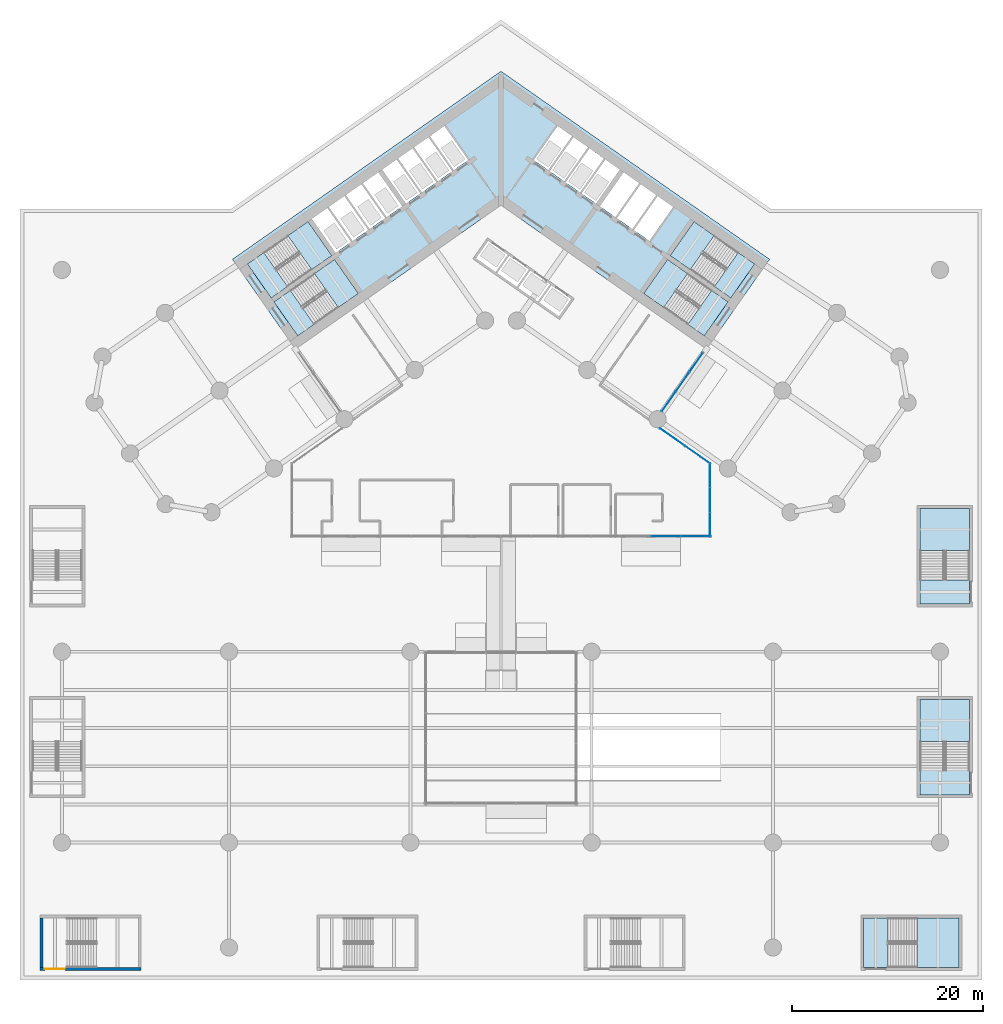
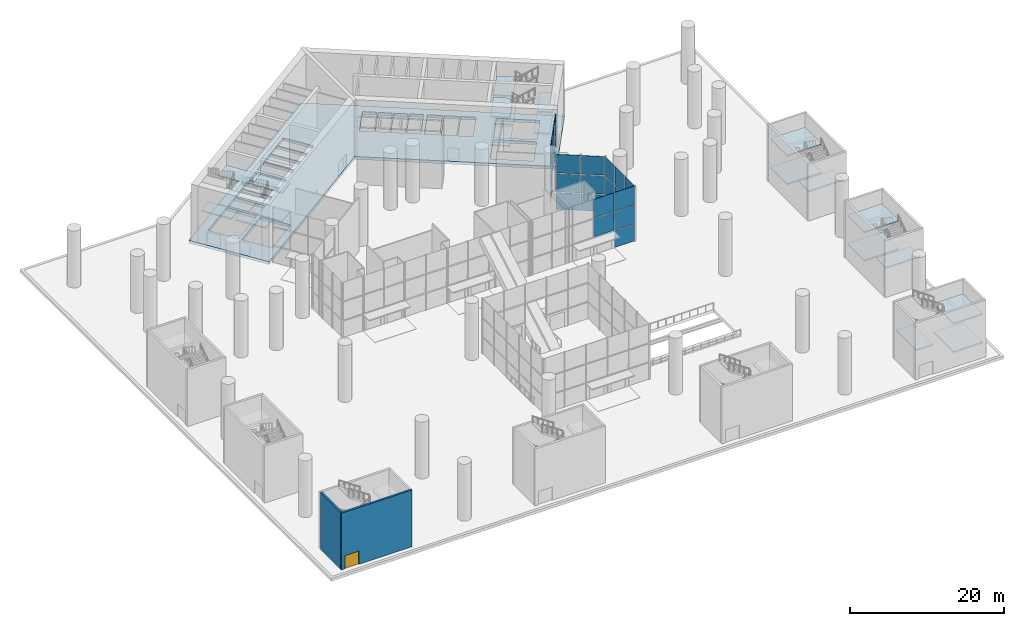
# One storey, part 15 of 37: 27 plates, 22 slabs, 2 walls, 1 door, 1 opening, 11 elements without a shape of their own.
"""IFC4 building model written with IfcOpenShell, lengths in metres."""

from ifc_helpers import new_model, si_unit, direction, frame, frame_2d, origin, origin_2d, place, context, subcontext, project, spatial, polyline, rectangle, outline, extrude, material, layer, layer_set, type_object, element, fill, aggregate, save


model = new_model("IFC4")

# Units and contexts
model_context = context("Model", 3, precision=1e-05, world=origin(), true_north=direction((0.0, 1.0)))
body_context = subcontext(model_context, "Body", "Model", "MODEL_VIEW")
ifc_project = project(units=[si_unit("LENGTHUNIT", "METRE"), si_unit("AREAUNIT", "SQUARE_METRE"), si_unit("VOLUMEUNIT", "CUBIC_METRE"), si_unit("PLANEANGLEUNIT", "RADIAN"), si_unit("MASSUNIT", "GRAM", prefix="KILO")], contexts=[model_context])

# Site, building, storey
site_placement = place(None, origin())
site = spatial("IfcSite", under=ifc_project, at=site_placement, CompositionType="ELEMENT")
building_placement = place(site_placement, origin())
building = spatial("IfcBuilding", under=site, at=building_placement, Name="Tel Ilan Convention Tower", CompositionType="ELEMENT")
storey_placement = place(building_placement, origin())
storey = spatial("IfcBuildingStorey", under=building, at=storey_placement, Name="L00", CompositionType="ELEMENT", Elevation=0.0)

# Curtain wall, plates
ifc_material_1 = material(Name="Aluminium, bronze anodised", Category="aluminium")
curtain_wall_type = type_object("IfcCurtainWallType", Name="CW6 LOBBY PAVILION CURTAIN WALL, CLEAR GLASS", PredefinedType="NOTDEFINED", material=ifc_material_1)
curtain_wall_1_placement = place(storey_placement, origin())
curtain_wall_1 = element("IfcCurtainWall", 1, at=curtain_wall_1_placement, inside=storey, type_object=curtain_wall_type, Name="Curtain wall CW6-03.03", PredefinedType="NOTDEFINED")
ifc_material_2 = material(Name="Glass, clear, two-ply", Category="glass")
ifc_layer_1 = layer(ifc_material_2, 0.028076171875)
ifc_layer_set_1 = layer_set([ifc_layer_1], Name="CW FOYER GLASS PANEL 28")
plate_type = type_object("IfcPlateType", Name="CW FOYER GLASS PANEL 28", PredefinedType="CURTAIN_PANEL", material=ifc_layer_set_1)
plate_1_placement = place(storey_placement, frame((17.966064453125, -25.520263671875, 0.0), z_axis=(0.0, 0.0, 1.0), x_axis=(0.819152044289, -0.573576436351, 0.0)))
plate_1 = element("IfcPlate", 2, at=plate_1_placement, type_object=plate_type, Name="Glass panel", PredefinedType="CURTAIN_PANEL", context=body_context, shape_type="SweptSolid", body=[
    extrude(rectangle(XDim=3.17626953125, YDim=0.028076171875, at=origin_2d()), origin(), (0.0, 0.0, 1.0), 2.639892578125),
])
plate_2_placement = place(storey_placement, frame((17.966064453125, -25.520263671875, 2.760009765625), z_axis=(0.0, 0.0, 1.0), x_axis=(0.819152044289, -0.573576436351, 0.0)))
plate_2 = element("IfcPlate", 3, at=plate_2_placement, type_object=plate_type, Name="Glass panel", PredefinedType="CURTAIN_PANEL", context=body_context, shape_type="SweptSolid", body=[
    extrude(rectangle(XDim=3.17626953125, YDim=0.028076171875, at=origin_2d()), origin(), (0.0, 0.0, 1.0), 2.8798828125),
])
plate_3_placement = place(storey_placement, frame((17.966064453125, -25.520263671875, 5.760009765625), z_axis=(0.0, 0.0, 1.0), x_axis=(0.819152044289, -0.573576436351, 0.0)))
plate_3 = element("IfcPlate", 4, at=plate_3_placement, type_object=plate_type, Name="Glass panel", PredefinedType="CURTAIN_PANEL", context=body_context, shape_type="SweptSolid", body=[
    extrude(rectangle(XDim=3.17626953125, YDim=0.028076171875, at=origin_2d()), origin(), (0.0, 0.0, 1.0), 2.9599609375),
])
plate_4_placement = place(storey_placement, frame((20.6171875, -27.37646484375, 0.0), z_axis=(0.0, 0.0, 1.0), x_axis=(0.819152044289, -0.573576436351, 0.0)))
plate_4 = element("IfcPlate", 5, at=plate_4_placement, type_object=plate_type, Name="Glass panel", PredefinedType="CURTAIN_PANEL", context=body_context, shape_type="SweptSolid", body=[
    extrude(rectangle(XDim=3.17626953125, YDim=0.028076171875, at=origin_2d()), origin(), (0.0, 0.0, 1.0), 2.639892578125),
])
plate_5_placement = place(storey_placement, frame((20.6171875, -27.37646484375, 2.760009765625), z_axis=(0.0, 0.0, 1.0), x_axis=(0.819152044289, -0.573576436351, 0.0)))
plate_5 = element("IfcPlate", 6, at=plate_5_placement, type_object=plate_type, Name="Glass panel", PredefinedType="CURTAIN_PANEL", context=body_context, shape_type="SweptSolid", body=[
    extrude(rectangle(XDim=3.17626953125, YDim=0.028076171875, at=origin_2d()), origin(), (0.0, 0.0, 1.0), 2.8798828125),
])
plate_6_placement = place(storey_placement, frame((20.6171875, -27.37646484375, 5.760009765625), z_axis=(0.0, 0.0, 1.0), x_axis=(0.819152044289, -0.573576436351, 0.0)))
plate_6 = element("IfcPlate", 7, at=plate_6_placement, type_object=plate_type, Name="Glass panel", PredefinedType="CURTAIN_PANEL", context=body_context, shape_type="SweptSolid", body=[
    extrude(rectangle(XDim=3.17626953125, YDim=0.028076171875, at=origin_2d()), origin(), (0.0, 0.0, 1.0), 2.9599609375),
])
aggregate(curtain_wall_1, [plate_1, plate_2, plate_3, plate_4, plate_5, plate_6])

curtain_wall_2_placement = place(storey_placement, origin())
curtain_wall_2 = element("IfcCurtainWall", 8, at=curtain_wall_2_placement, inside=storey, type_object=curtain_wall_type, Name="Curtain wall CW6-03.04", PredefinedType="NOTDEFINED")
plate_7_placement = place(storey_placement, frame((21.89990234375, -29.518798828125, 0.0), z_axis=(0.0, 0.0, 1.0), x_axis=(0.0, -1.0, 0.0)))
plate_7 = element("IfcPlate", 9, at=plate_7_placement, type_object=plate_type, Name="Glass panel", PredefinedType="CURTAIN_PANEL", context=body_context, shape_type="SweptSolid", body=[
    extrude(rectangle(XDim=2.532470703125, YDim=0.028076171875, at=origin_2d()), origin(), (0.0, 0.0, 1.0), 2.639892578125),
])
plate_8_placement = place(storey_placement, frame((21.89990234375, -29.518798828125, 2.760009765625), z_axis=(0.0, 0.0, 1.0), x_axis=(0.0, -1.0, 0.0)))
plate_8 = element("IfcPlate", 10, at=plate_8_placement, type_object=plate_type, Name="Glass panel", PredefinedType="CURTAIN_PANEL", context=body_context, shape_type="SweptSolid", body=[
    extrude(rectangle(XDim=2.532470703125, YDim=0.028076171875, at=origin_2d()), origin(), (0.0, 0.0, 1.0), 2.8798828125),
])
plate_9_placement = place(storey_placement, frame((21.89990234375, -29.518798828125, 5.760009765625), z_axis=(0.0, 0.0, 1.0), x_axis=(0.0, -1.0, 0.0)))
plate_9 = element("IfcPlate", 11, at=plate_9_placement, type_object=plate_type, Name="Glass panel", PredefinedType="CURTAIN_PANEL", context=body_context, shape_type="SweptSolid", body=[
    extrude(rectangle(XDim=2.532470703125, YDim=0.028076171875, at=origin_2d()), origin(), (0.0, 0.0, 1.0), 2.9599609375),
])
plate_10_placement = place(storey_placement, frame((21.89990234375, -32.111328125, 0.0), z_axis=(0.0, 0.0, 1.0), x_axis=(0.0, -1.0, 0.0)))
plate_10 = element("IfcPlate", 12, at=plate_10_placement, type_object=plate_type, Name="Glass panel", PredefinedType="CURTAIN_PANEL", context=body_context, shape_type="SweptSolid", body=[
    extrude(rectangle(XDim=2.532470703125, YDim=0.028076171875, at=origin_2d()), origin(), (0.0, 0.0, 1.0), 2.639892578125),
])
plate_11_placement = place(storey_placement, frame((21.89990234375, -32.111328125, 2.760009765625), z_axis=(0.0, 0.0, 1.0), x_axis=(0.0, -1.0, 0.0)))
plate_11 = element("IfcPlate", 13, at=plate_11_placement, type_object=plate_type, Name="Glass panel", PredefinedType="CURTAIN_PANEL", context=body_context, shape_type="SweptSolid", body=[
    extrude(rectangle(XDim=2.532470703125, YDim=0.028076171875, at=origin_2d()), origin(), (0.0, 0.0, 1.0), 2.8798828125),
])
plate_12_placement = place(storey_placement, frame((21.89990234375, -32.111328125, 5.760009765625), z_axis=(0.0, 0.0, 1.0), x_axis=(0.0, -1.0, 0.0)))
plate_12 = element("IfcPlate", 14, at=plate_12_placement, type_object=plate_type, Name="Glass panel", PredefinedType="CURTAIN_PANEL", context=body_context, shape_type="SweptSolid", body=[
    extrude(rectangle(XDim=2.532470703125, YDim=0.028076171875, at=origin_2d()), origin(), (0.0, 0.0, 1.0), 2.9599609375),
])
plate_13_placement = place(storey_placement, frame((21.89990234375, -34.703857421875, 0.0), z_axis=(0.0, 0.0, 1.0), x_axis=(0.0, -1.0, 0.0)))
plate_13 = element("IfcPlate", 15, at=plate_13_placement, type_object=plate_type, Name="Glass panel", PredefinedType="CURTAIN_PANEL", context=body_context, shape_type="SweptSolid", body=[
    extrude(rectangle(XDim=2.532470703125, YDim=0.028076171875, at=origin_2d()), origin(), (0.0, 0.0, 1.0), 2.639892578125),
])
plate_14_placement = place(storey_placement, frame((21.89990234375, -34.703857421875, 2.760009765625), z_axis=(0.0, 0.0, 1.0), x_axis=(0.0, -1.0, 0.0)))
plate_14 = element("IfcPlate", 16, at=plate_14_placement, type_object=plate_type, Name="Glass panel", PredefinedType="CURTAIN_PANEL", context=body_context, shape_type="SweptSolid", body=[
    extrude(rectangle(XDim=2.532470703125, YDim=0.028076171875, at=origin_2d()), origin(), (0.0, 0.0, 1.0), 2.8798828125),
])
plate_15_placement = place(storey_placement, frame((21.89990234375, -34.703857421875, 5.760009765625), z_axis=(0.0, 0.0, 1.0), x_axis=(0.0, -1.0, 0.0)))
plate_15 = element("IfcPlate", 17, at=plate_15_placement, type_object=plate_type, Name="Glass panel", PredefinedType="CURTAIN_PANEL", context=body_context, shape_type="SweptSolid", body=[
    extrude(rectangle(XDim=2.532470703125, YDim=0.028076171875, at=origin_2d()), origin(), (0.0, 0.0, 1.0), 2.9599609375),
])
aggregate(curtain_wall_2, [plate_7, plate_8, plate_9, plate_10, plate_11, plate_12, plate_13, plate_14, plate_15])

curtain_wall_3_placement = place(storey_placement, origin())
curtain_wall_3 = element("IfcCurtainWall", 18, at=curtain_wall_3_placement, inside=storey, type_object=curtain_wall_type, Name="Curtain wall CW6-03.05", PredefinedType="NOTDEFINED")
plate_16_placement = place(storey_placement, frame((20.428466796875, -35.89990234375, 0.0), z_axis=(0.0, 0.0, 1.0), x_axis=(-1.0, 0.0, 0.0)))
plate_16 = element("IfcPlate", 19, at=plate_16_placement, type_object=plate_type, Name="Glass panel", PredefinedType="CURTAIN_PANEL", context=body_context, shape_type="SweptSolid", body=[
    extrude(rectangle(XDim=3.082763671875, YDim=0.028076171875, at=origin_2d()), origin(), (0.0, 0.0, 1.0), 2.639892578125),
])
plate_17_placement = place(storey_placement, frame((20.428466796875, -35.89990234375, 2.760009765625), z_axis=(0.0, 0.0, 1.0), x_axis=(-1.0, 0.0, 0.0)))
plate_17 = element("IfcPlate", 20, at=plate_17_placement, type_object=plate_type, Name="Glass panel", PredefinedType="CURTAIN_PANEL", context=body_context, shape_type="SweptSolid", body=[
    extrude(rectangle(XDim=3.082763671875, YDim=0.028076171875, at=origin_2d()), origin(), (0.0, 0.0, 1.0), 2.8798828125),
])
plate_18_placement = place(storey_placement, frame((20.428466796875, -35.89990234375, 5.760009765625), z_axis=(0.0, 0.0, 1.0), x_axis=(-1.0, 0.0, 0.0)))
plate_18 = element("IfcPlate", 21, at=plate_18_placement, type_object=plate_type, Name="Glass panel", PredefinedType="CURTAIN_PANEL", context=body_context, shape_type="SweptSolid", body=[
    extrude(rectangle(XDim=3.082763671875, YDim=0.028076171875, at=origin_2d()), origin(), (0.0, 0.0, 1.0), 2.9599609375),
])
plate_19_placement = place(storey_placement, frame((17.28564453125, -35.89990234375, 2.760009765625), z_axis=(0.0, 0.0, 1.0), x_axis=(-1.0, 0.0, 0.0)))
plate_19 = element("IfcPlate", 22, at=plate_19_placement, type_object=plate_type, Name="Glass panel", PredefinedType="CURTAIN_PANEL", context=body_context, shape_type="SweptSolid", body=[
    extrude(rectangle(XDim=3.082763671875, YDim=0.028076171875, at=origin_2d()), origin(), (0.0, 0.0, 1.0), 2.8798828125),
])
plate_20_placement = place(storey_placement, frame((17.28564453125, -35.89990234375, 5.760009765625), z_axis=(0.0, 0.0, 1.0), x_axis=(-1.0, 0.0, 0.0)))
plate_20 = element("IfcPlate", 23, at=plate_20_placement, type_object=plate_type, Name="Glass panel", PredefinedType="CURTAIN_PANEL", context=body_context, shape_type="SweptSolid", body=[
    extrude(rectangle(XDim=3.082763671875, YDim=0.028076171875, at=origin_2d()), origin(), (0.0, 0.0, 1.0), 2.9599609375),
])
aggregate(curtain_wall_3, [plate_16, plate_17, plate_18, plate_19, plate_20])

curtain_wall_4_placement = place(storey_placement, origin())
curtain_wall_4 = element("IfcCurtainWall", 24, at=curtain_wall_4_placement, inside=storey, type_object=curtain_wall_type, Name="Curtain wall CW6-03.07", PredefinedType="NOTDEFINED")
plate_21_placement = place(storey_placement, frame((20.454833984375, -17.68603515625, 2.760009765625), z_axis=(0.0, 0.0, 1.0), x_axis=(-0.573576436351, -0.819152044289, 0.0)))
plate_21 = element("IfcPlate", 25, at=plate_21_placement, type_object=plate_type, Name="Glass panel", PredefinedType="CURTAIN_PANEL", context=body_context, shape_type="SweptSolid", body=[
    extrude(rectangle(XDim=2.4501953125, YDim=0.028076171875, at=origin_2d()), origin(), (0.0, 0.0, 1.0), 2.8798828125),
])
plate_22_placement = place(storey_placement, frame((20.454833984375, -17.68603515625, 5.760009765625), z_axis=(0.0, 0.0, 1.0), x_axis=(-0.573576436351, -0.819152044289, 0.0)))
plate_22 = element("IfcPlate", 26, at=plate_22_placement, type_object=plate_type, Name="Glass panel", PredefinedType="CURTAIN_PANEL", context=body_context, shape_type="SweptSolid", body=[
    extrude(rectangle(XDim=2.4501953125, YDim=0.028076171875, at=origin_2d()), origin(), (0.0, 0.0, 1.0), 2.9599609375),
])
plate_23_placement = place(storey_placement, frame((19.01513671875, -19.742431640625, 2.760009765625), z_axis=(0.0, 0.0, 1.0), x_axis=(-0.573576436351, -0.819152044289, 0.0)))
plate_23 = element("IfcPlate", 27, at=plate_23_placement, type_object=plate_type, Name="Glass panel", PredefinedType="CURTAIN_PANEL", context=body_context, shape_type="SweptSolid", body=[
    extrude(rectangle(XDim=2.4501953125, YDim=0.028076171875, at=origin_2d()), origin(), (0.0, 0.0, 1.0), 2.8798828125),
])
plate_24_placement = place(storey_placement, frame((19.01513671875, -19.742431640625, 5.760009765625), z_axis=(0.0, 0.0, 1.0), x_axis=(-0.573576436351, -0.819152044289, 0.0)))
plate_24 = element("IfcPlate", 28, at=plate_24_placement, type_object=plate_type, Name="Glass panel", PredefinedType="CURTAIN_PANEL", context=body_context, shape_type="SweptSolid", body=[
    extrude(rectangle(XDim=2.4501953125, YDim=0.028076171875, at=origin_2d()), origin(), (0.0, 0.0, 1.0), 2.9599609375),
])
plate_25_placement = place(storey_placement, frame((17.5751953125, -21.798583984375, 0.0), z_axis=(0.0, 0.0, 1.0), x_axis=(-0.573576436351, -0.819152044289, 0.0)))
plate_25 = element("IfcPlate", 29, at=plate_25_placement, type_object=plate_type, Name="Glass panel", PredefinedType="CURTAIN_PANEL", context=body_context, shape_type="SweptSolid", body=[
    extrude(rectangle(XDim=2.4501953125, YDim=0.028076171875, at=origin_2d()), origin(), (0.0, 0.0, 1.0), 2.639892578125),
])
plate_26_placement = place(storey_placement, frame((17.5751953125, -21.798583984375, 2.760009765625), z_axis=(0.0, 0.0, 1.0), x_axis=(-0.573576436351, -0.819152044289, 0.0)))
plate_26 = element("IfcPlate", 30, at=plate_26_placement, type_object=plate_type, Name="Glass panel", PredefinedType="CURTAIN_PANEL", context=body_context, shape_type="SweptSolid", body=[
    extrude(rectangle(XDim=2.4501953125, YDim=0.028076171875, at=origin_2d()), origin(), (0.0, 0.0, 1.0), 2.8798828125),
])
plate_27_placement = place(storey_placement, frame((17.5751953125, -21.798583984375, 5.760009765625), z_axis=(0.0, 0.0, 1.0), x_axis=(-0.573576436351, -0.819152044289, 0.0)))
plate_27 = element("IfcPlate", 31, at=plate_27_placement, type_object=plate_type, Name="Glass panel", PredefinedType="CURTAIN_PANEL", context=body_context, shape_type="SweptSolid", body=[
    extrude(rectangle(XDim=2.4501953125, YDim=0.028076171875, at=origin_2d()), origin(), (0.0, 0.0, 1.0), 2.9599609375),
])
aggregate(curtain_wall_4, [plate_21, plate_22, plate_23, plate_24, plate_25, plate_26, plate_27])

# Stair, slabs
ifc_material_3 = material(Name="Concrete C40/50", Category="concrete")
stair_type = type_object("IfcStairType", Name="Pressurised Exit Stair 48 risers 188 mm", PredefinedType="HALF_TURN_STAIR", material=ifc_material_3)
stair_1_placement = place(storey_placement, origin())
stair_1 = element("IfcStair", 32, at=stair_1_placement, inside=storey, type_object=stair_type, Name="L00 Pressurised Stair S1", PredefinedType="HALF_TURN_STAIR")
ifc_material_4 = material(Name="Concrete C40/50", Category="concrete")
ifc_layer_2 = layer(ifc_material_4, 0.199951171875)
ifc_layer_set_2 = layer_set([ifc_layer_2], Name="Concrete Stair Landing 200 mm C40/50")
slab_type_1 = type_object("IfcSlabType", Name="Concrete Stair Landing 200 mm", PredefinedType="LANDING", material=ifc_layer_set_2)
slab_1_placement = place(storey_placement, frame((0.0, 0.0, 2.050048828125)))
slab_1 = element("IfcSlab", 33, at=slab_1_placement, type_object=slab_type_1, Name="S1 landing 1", PredefinedType="LANDING", context=body_context, shape_type="SweptSolid", body=[
    extrude(outline(polyline([(-19.837158203125, -7.969482421875), (-17.7314453125, -6.494873046875), (-20.226318359375, -2.931640625), (-22.332275390625, -4.406005859375), (-19.837158203125, -7.969482421875)])), origin(), (0.0, 0.0, 1.0), 0.199951171875),
])
slab_2_placement = place(storey_placement, frame((0.0, 0.0, 4.300048828125)))
slab_2 = element("IfcSlab", 34, at=slab_2_placement, type_object=slab_type_1, Name="S1 landing 2", PredefinedType="LANDING", context=body_context, shape_type="SweptSolid", body=[
    extrude(outline(polyline([(-24.079833984375, -10.940185546875), (-22.35888671875, -9.735107421875), (-24.85400390625, -6.171875), (-26.574951171875, -7.376708984375), (-24.079833984375, -10.940185546875)])), origin(), (0.0, 0.0, 1.0), 0.199951171875),
])
slab_3_placement = place(storey_placement, frame((0.0, 0.0, 6.550048828125)))
slab_3 = element("IfcSlab", 35, at=slab_3_placement, type_object=slab_type_1, Name="S1 landing 3", PredefinedType="LANDING", context=body_context, shape_type="SweptSolid", body=[
    extrude(outline(polyline([(-19.837158203125, -7.969482421875), (-17.7314453125, -6.494873046875), (-20.226318359375, -2.931640625), (-22.332275390625, -4.406005859375), (-19.837158203125, -7.969482421875)])), origin(), (0.0, 0.0, 1.0), 0.199951171875),
])
aggregate(stair_1, [slab_1, slab_2, slab_3])

stair_2_placement = place(storey_placement, origin())
stair_2 = element("IfcStair", 36, at=stair_2_placement, inside=storey, type_object=stair_type, Name="L00 Pressurised Stair S2", PredefinedType="HALF_TURN_STAIR")
slab_4_placement = place(storey_placement, frame((0.0, 0.0, 2.050048828125)))
slab_4 = element("IfcSlab", 37, at=slab_4_placement, type_object=slab_type_1, Name="S2 landing 1", PredefinedType="LANDING", context=body_context, shape_type="SweptSolid", body=[
    extrude(outline(polyline([(-17.055419921875, -11.9423828125), (-14.949462890625, -10.4677734375), (-17.444580078125, -6.904541015625), (-19.550537109375, -8.37890625), (-17.055419921875, -11.9423828125)])), origin(), (0.0, 0.0, 1.0), 0.199951171875),
])
slab_5_placement = place(storey_placement, frame((0.0, 0.0, 4.300048828125)))
slab_5 = element("IfcSlab", 38, at=slab_5_placement, type_object=slab_type_1, Name="S2 landing 2", PredefinedType="LANDING", context=body_context, shape_type="SweptSolid", body=[
    extrude(outline(polyline([(-21.2978515625, -14.9130859375), (-19.5771484375, -13.7080078125), (-22.072021484375, -10.144775390625), (-23.79296875, -11.349609375), (-21.2978515625, -14.9130859375)])), origin(), (0.0, 0.0, 1.0), 0.199951171875),
])
slab_6_placement = place(storey_placement, frame((0.0, 0.0, 6.550048828125)))
slab_6 = element("IfcSlab", 39, at=slab_6_placement, type_object=slab_type_1, Name="S2 landing 3", PredefinedType="LANDING", context=body_context, shape_type="SweptSolid", body=[
    extrude(outline(polyline([(-17.055419921875, -11.9423828125), (-14.949462890625, -10.4677734375), (-17.444580078125, -6.904541015625), (-19.550537109375, -8.37890625), (-17.055419921875, -11.9423828125)])), origin(), (0.0, 0.0, 1.0), 0.199951171875),
])
aggregate(stair_2, [slab_4, slab_5, slab_6])

stair_3_placement = place(storey_placement, origin())
stair_3 = element("IfcStair", 40, at=stair_3_placement, inside=storey, type_object=stair_type, Name="L00 Pressurised Stair S3", PredefinedType="HALF_TURN_STAIR")
slab_7_placement = place(storey_placement, frame((0.0, 0.0, 2.050048828125)))
slab_7 = element("IfcSlab", 41, at=slab_7_placement, type_object=slab_type_1, Name="S3 landing 1", PredefinedType="LANDING", context=body_context, shape_type="SweptSolid", body=[
    extrude(outline(polyline([(22.332275390625, -4.406005859375), (20.226318359375, -2.931640625), (17.7314453125, -6.494873046875), (19.837158203125, -7.969482421875), (22.332275390625, -4.406005859375)])), origin(), (0.0, 0.0, 1.0), 0.199951171875),
])
slab_8_placement = place(storey_placement, frame((0.0, 0.0, 4.300048828125)))
slab_8 = element("IfcSlab", 42, at=slab_8_placement, type_object=slab_type_1, Name="S3 landing 2", PredefinedType="LANDING", context=body_context, shape_type="SweptSolid", body=[
    extrude(outline(polyline([(26.574951171875, -7.376708984375), (24.85400390625, -6.171875), (22.35888671875, -9.735107421875), (24.079833984375, -10.940185546875), (26.574951171875, -7.376708984375)])), origin(), (0.0, 0.0, 1.0), 0.199951171875),
])
slab_9_placement = place(storey_placement, frame((0.0, 0.0, 6.550048828125)))
slab_9 = element("IfcSlab", 43, at=slab_9_placement, type_object=slab_type_1, Name="S3 landing 3", PredefinedType="LANDING", context=body_context, shape_type="SweptSolid", body=[
    extrude(outline(polyline([(22.332275390625, -4.406005859375), (20.226318359375, -2.931640625), (17.7314453125, -6.494873046875), (19.837158203125, -7.969482421875), (22.332275390625, -4.406005859375)])), origin(), (0.0, 0.0, 1.0), 0.199951171875),
])
aggregate(stair_3, [slab_7, slab_8, slab_9])

stair_4_placement = place(storey_placement, origin())
stair_4 = element("IfcStair", 44, at=stair_4_placement, inside=storey, type_object=stair_type, Name="L00 Pressurised Stair S4", PredefinedType="HALF_TURN_STAIR")
slab_10_placement = place(storey_placement, frame((0.0, 0.0, 2.050048828125)))
slab_10 = element("IfcSlab", 45, at=slab_10_placement, type_object=slab_type_1, Name="S4 landing 1", PredefinedType="LANDING", context=body_context, shape_type="SweptSolid", body=[
    extrude(outline(polyline([(19.550537109375, -8.37890625), (17.444580078125, -6.904541015625), (14.949462890625, -10.4677734375), (17.055419921875, -11.9423828125), (19.550537109375, -8.37890625)])), origin(), (0.0, 0.0, 1.0), 0.199951171875),
])
slab_11_placement = place(storey_placement, frame((0.0, 0.0, 4.300048828125)))
slab_11 = element("IfcSlab", 46, at=slab_11_placement, type_object=slab_type_1, Name="S4 landing 2", PredefinedType="LANDING", context=body_context, shape_type="SweptSolid", body=[
    extrude(outline(polyline([(23.79296875, -11.349609375), (22.072021484375, -10.144775390625), (19.5771484375, -13.7080078125), (21.2978515625, -14.9130859375), (23.79296875, -11.349609375)])), origin(), (0.0, 0.0, 1.0), 0.199951171875),
])
slab_12_placement = place(storey_placement, frame((0.0, 0.0, 6.550048828125)))
slab_12 = element("IfcSlab", 47, at=slab_12_placement, type_object=slab_type_1, Name="S4 landing 3", PredefinedType="LANDING", context=body_context, shape_type="SweptSolid", body=[
    extrude(outline(polyline([(19.550537109375, -8.37890625), (17.444580078125, -6.904541015625), (14.949462890625, -10.4677734375), (17.055419921875, -11.9423828125), (19.550537109375, -8.37890625)])), origin(), (0.0, 0.0, 1.0), 0.199951171875),
])
aggregate(stair_4, [slab_10, slab_11, slab_12])

stair_5_placement = place(storey_placement, origin())
stair_5 = element("IfcStair", 48, at=stair_5_placement, inside=storey, type_object=stair_type, Name="L00 Podium Exit Stair P4", PredefinedType="HALF_TURN_STAIR")
slab_13_placement = place(storey_placement, frame((0.0, 0.0, 2.050048828125)))
slab_13 = element("IfcSlab", 49, at=slab_13_placement, type_object=slab_type_1, Name="P4 landing 1", PredefinedType="LANDING", context=body_context, shape_type="SweptSolid", body=[
    extrude(outline(polyline([(43.604248046875, -81.10009765625), (48.0, -81.10009765625), (48.0, -75.89990234375), (43.604248046875, -75.89990234375), (43.604248046875, -81.10009765625)])), origin(), (0.0, 0.0, 1.0), 0.199951171875),
])
slab_14_placement = place(storey_placement, frame((0.0, 0.0, 4.300048828125)))
slab_14 = element("IfcSlab", 50, at=slab_14_placement, type_object=slab_type_1, Name="P4 landing 2", PredefinedType="LANDING", context=body_context, shape_type="SweptSolid", body=[
    extrude(outline(polyline([(38.0, -81.10009765625), (40.52587890625, -81.10009765625), (40.52587890625, -75.89990234375), (38.0, -75.89990234375), (38.0, -81.10009765625)])), origin(), (0.0, 0.0, 1.0), 0.199951171875),
])
slab_15_placement = place(storey_placement, frame((0.0, 0.0, 6.550048828125)))
slab_15 = element("IfcSlab", 51, at=slab_15_placement, type_object=slab_type_1, Name="P4 landing 3", PredefinedType="LANDING", context=body_context, shape_type="SweptSolid", body=[
    extrude(outline(polyline([(43.604248046875, -81.10009765625), (48.0, -81.10009765625), (48.0, -75.89990234375), (43.604248046875, -75.89990234375), (43.604248046875, -81.10009765625)])), origin(), (0.0, 0.0, 1.0), 0.199951171875),
])
aggregate(stair_5, [slab_13, slab_14, slab_15])

stair_6_placement = place(storey_placement, origin())
stair_6 = element("IfcStair", 52, at=stair_6_placement, inside=storey, type_object=stair_type, Name="L00 Podium Exit Stair P6", PredefinedType="HALF_TURN_STAIR")
slab_16_placement = place(storey_placement, frame((0.0, 0.0, 2.050048828125)))
slab_16 = element("IfcSlab", 53, at=slab_16_placement, type_object=slab_type_1, Name="P6 landing 1", PredefinedType="LANDING", context=body_context, shape_type="SweptSolid", body=[
    extrude(outline(polyline([(49.10009765625, -57.395751953125), (49.10009765625, -53.0), (43.89990234375, -53.0), (43.89990234375, -57.395751953125), (49.10009765625, -57.395751953125)])), origin(), (0.0, 0.0, 1.0), 0.199951171875),
])
slab_17_placement = place(storey_placement, frame((0.0, 0.0, 4.300048828125)))
slab_17 = element("IfcSlab", 54, at=slab_17_placement, type_object=slab_type_1, Name="P6 landing 2", PredefinedType="LANDING", context=body_context, shape_type="SweptSolid", body=[
    extrude(outline(polyline([(49.10009765625, -63.0), (49.10009765625, -60.47412109375), (43.89990234375, -60.47412109375), (43.89990234375, -63.0), (49.10009765625, -63.0)])), origin(), (0.0, 0.0, 1.0), 0.199951171875),
])
slab_18_placement = place(storey_placement, frame((0.0, 0.0, 6.550048828125)))
slab_18 = element("IfcSlab", 55, at=slab_18_placement, type_object=slab_type_1, Name="P6 landing 3", PredefinedType="LANDING", context=body_context, shape_type="SweptSolid", body=[
    extrude(outline(polyline([(49.10009765625, -57.395751953125), (49.10009765625, -53.0), (43.89990234375, -53.0), (43.89990234375, -57.395751953125), (49.10009765625, -57.395751953125)])), origin(), (0.0, 0.0, 1.0), 0.199951171875),
])
aggregate(stair_6, [slab_16, slab_17, slab_18])

stair_7_placement = place(storey_placement, origin())
stair_7 = element("IfcStair", 56, at=stair_7_placement, inside=storey, type_object=stair_type, Name="L00 Podium Exit Stair P8", PredefinedType="HALF_TURN_STAIR")
slab_19_placement = place(storey_placement, frame((0.0, 0.0, 2.050048828125)))
slab_19 = element("IfcSlab", 57, at=slab_19_placement, type_object=slab_type_1, Name="P8 landing 1", PredefinedType="LANDING", context=body_context, shape_type="SweptSolid", body=[
    extrude(outline(polyline([(49.10009765625, -37.395751953125), (49.10009765625, -33.0), (43.89990234375, -33.0), (43.89990234375, -37.395751953125), (49.10009765625, -37.395751953125)])), origin(), (0.0, 0.0, 1.0), 0.199951171875),
])
slab_20_placement = place(storey_placement, frame((0.0, 0.0, 4.300048828125)))
slab_20 = element("IfcSlab", 58, at=slab_20_placement, type_object=slab_type_1, Name="P8 landing 2", PredefinedType="LANDING", context=body_context, shape_type="SweptSolid", body=[
    extrude(outline(polyline([(49.10009765625, -43.0), (49.10009765625, -40.47412109375), (43.89990234375, -40.47412109375), (43.89990234375, -43.0), (49.10009765625, -43.0)])), origin(), (0.0, 0.0, 1.0), 0.199951171875),
])
slab_21_placement = place(storey_placement, frame((0.0, 0.0, 6.550048828125)))
slab_21 = element("IfcSlab", 59, at=slab_21_placement, type_object=slab_type_1, Name="P8 landing 3", PredefinedType="LANDING", context=body_context, shape_type="SweptSolid", body=[
    extrude(outline(polyline([(49.10009765625, -37.395751953125), (49.10009765625, -33.0), (43.89990234375, -33.0), (43.89990234375, -37.395751953125), (49.10009765625, -37.395751953125)])), origin(), (0.0, 0.0, 1.0), 0.199951171875),
])
aggregate(stair_7, [slab_19, slab_20, slab_21])

# Slab
ifc_material_5 = material(Name="Concrete C40/50", Category="concrete")
ifc_layer_3 = layer(ifc_material_5, 0.449951171875)
ifc_layer_set_3 = layer_set([ifc_layer_3], Name="Core Floor Slab 450 mm C40/50")
slab_type_2 = type_object("IfcSlabType", Name="Core Floor Slab 450 mm C40/50", PredefinedType="FLOOR", material=ifc_layer_set_3)
slab_22_placement = place(storey_placement, frame((0.0, 0.0, -0.449951171875)))
element("IfcSlab", 60, at=slab_22_placement, inside=storey, type_object=slab_type_2, Name="L00 core floor 1", PredefinedType="FLOOR", context=body_context, shape_type="SweptSolid", body=[
    extrude(outline(polyline([(-28.1396484375, -6.885498046875), (0.0, 12.818115234375), (28.1396484375, -6.885498046875), (21.54345703125, -16.3056640625), (0.0, -1.220703125), (-21.54345703125, -16.3056640625), (-28.1396484375, -6.885498046875)]), holes=[polyline([(-14.949462890625, -10.4677734375), (-17.444580078125, -6.904541015625), (-22.072021484375, -10.144775390625), (-19.5771484375, -13.7080078125), (-14.949462890625, -10.4677734375)]), polyline([(-22.35888671875, -9.735107421875), (-17.7314453125, -6.494873046875), (-20.226318359375, -2.931640625), (-24.85400390625, -6.171875), (-22.35888671875, -9.735107421875)]), polyline([(-15.7041015625, -5.0751953125), (-18.198974609375, -1.511962890625), (-19.81689453125, -2.644775390625), (-17.32177734375, -6.2080078125), (-15.7041015625, -5.0751953125)]), polyline([(-16.41748046875, -0.264404296875), (-18.03515625, -1.397216796875), (-15.5400390625, -4.960693359375), (-13.92236328125, -3.827880859375), (-16.41748046875, -0.264404296875)]), polyline([(-12.140625, -2.580078125), (-14.6357421875, 0.983154296875), (-16.25341796875, -0.149658203125), (-13.758544921875, -3.712890625), (-12.140625, -2.580078125)]), polyline([(-10.35888671875, -1.332763671875), (-12.85400390625, 2.230712890625), (-14.471923828125, 1.097900390625), (-11.976806640625, -2.465576171875), (-10.35888671875, -1.332763671875)]), polyline([(-10.939208984375, 3.5712890625), (-12.444580078125, 2.517333984375), (-9.949462890625, -1.0458984375), (-8.444091796875, 0.008056640625), (-10.939208984375, 3.5712890625)]), polyline([(-6.775146484375, 1.1767578125), (-9.270263671875, 4.739990234375), (-10.775390625, 3.68603515625), (-8.280517578125, 0.122802734375), (-6.775146484375, 1.1767578125)]), polyline([(-5.106201171875, 2.345458984375), (-7.601318359375, 5.90869140625), (-9.1064453125, 4.854736328125), (-6.611328125, 1.29150390625), (-5.106201171875, 2.345458984375)]), polyline([(-5.93212890625, 7.077392578125), (-7.4375, 6.0234375), (-4.9423828125, 2.460205078125), (-3.437255859375, 3.513916015625), (-5.93212890625, 7.077392578125)]), polyline([(22.072021484375, -10.144775390625), (17.444580078125, -6.904541015625), (14.949462890625, -10.4677734375), (19.5771484375, -13.7080078125), (22.072021484375, -10.144775390625)]), polyline([(24.85400390625, -6.171875), (20.226318359375, -2.931640625), (17.7314453125, -6.494873046875), (22.35888671875, -9.735107421875), (24.85400390625, -6.171875)]), polyline([(13.92236328125, -3.827880859375), (15.5400390625, -4.960693359375), (18.03515625, -1.397216796875), (16.41748046875, -0.264404296875), (13.92236328125, -3.827880859375)]), polyline([(13.758544921875, -3.712890625), (16.25341796875, -0.149658203125), (14.6357421875, 0.983154296875), (12.140625, -2.580078125), (13.758544921875, -3.712890625)]), polyline([(10.35888671875, -1.332763671875), (11.976806640625, -2.465576171875), (14.471923828125, 1.097900390625), (12.85400390625, 2.230712890625), (10.35888671875, -1.332763671875)]), polyline([(8.444091796875, 0.008056640625), (9.949462890625, -1.0458984375), (12.444580078125, 2.517333984375), (10.939208984375, 3.5712890625), (8.444091796875, 0.008056640625)]), polyline([(8.280517578125, 0.122802734375), (10.775390625, 3.68603515625), (9.270263671875, 4.739990234375), (6.775146484375, 1.1767578125), (8.280517578125, 0.122802734375)]), polyline([(5.106201171875, 2.345458984375), (6.611328125, 1.29150390625), (9.1064453125, 4.854736328125), (7.601318359375, 5.90869140625), (5.106201171875, 2.345458984375)]), polyline([(3.437255859375, 3.513916015625), (4.9423828125, 2.460205078125), (7.4375, 6.0234375), (5.93212890625, 7.077392578125), (3.437255859375, 3.513916015625)])]), origin(), (0.0, 0.0, 1.0), 0.449951171875),
])

# Wall, opening, door
ifc_material_6 = material(Name="Concrete C40/50", Category="concrete")
ifc_layer_4 = layer(ifc_material_6, 0.300048828125)
ifc_layer_set_4 = layer_set([ifc_layer_4], Name="Stair Enclosure Wall 300 mm C40/50")
wall_type = type_object("IfcWallType", Name="Stair Enclosure Wall 300 mm C40/50", PredefinedType="SOLIDWALL", material=ifc_layer_set_4)
wall_1_placement = place(storey_placement, frame((-48.300048828125, -81.25, 0.0), z_axis=(0.0, 0.0, 1.0), x_axis=(1.0, 0.0, 0.0)))
wall_1 = element("IfcWall", 61, at=wall_1_placement, inside=storey, type_object=wall_type, Name="P1 stair enclosure wall S L00", PredefinedType="SOLIDWALL", context=body_context, shape_type="SweptSolid", body=[
    extrude(rectangle(XDim=10.60009765625, YDim=0.300048828125, at=frame_2d((5.300048828125, 0.0))), origin(), (0.0, 0.0, 1.0), 9.0),
])
opening_placement = place(wall_1_placement, frame((0.512451171875, 0.0, 0.0)))
opening = element("IfcOpeningElement", 62, at=opening_placement, cuts=wall_1, Name="Opening E5", PredefinedType="OPENING", context=body_context, shape_type="SweptSolid", body=[
    extrude(rectangle(XDim=2.10009765625, YDim=2.10009765625, at=frame_2d((1.050048828125, 1.050048828125))), frame((0.0, 0.159912109375, 0.0), z_axis=(0.0, -1.0, 0.0), x_axis=(1.0, 0.0, 0.0)), (0.0, 0.0, 1.0), 0.320068359375),
])
ifc_material_7 = material(Name="Galvanised Steel Door Leaf", Category="steel")
door_type = type_object("IfcDoorType", Name="Stair Fire Door 2100 x 2100 FD60S", OperationType="NOTDEFINED", PredefinedType="DOOR", material=ifc_material_7)
door_placement = place(opening_placement, origin())
door = element("IfcDoor", 63, at=door_placement, inside=storey, type_object=door_type, Name="Stair P1 exit discharge door", OperationType="DOUBLE_DOOR_SINGLE_SWING", OverallHeight=2.10009765625, OverallWidth=2.10009765625, PredefinedType="DOOR", context=body_context, shape_type="SweptSolid", body=[
    extrude(rectangle(XDim=2.10009765625, YDim=2.10009765625, at=frame_2d((1.050048828125, 1.050048828125))), frame((0.0, 0.02490234375, 0.0), z_axis=(0.0, -1.0, 0.0), x_axis=(1.0, 0.0, 0.0)), (0.0, 0.0, 1.0), 0.050048828125),
])
fill(opening, door)

# Wall
wall_2_placement = place(storey_placement, frame((-48.14990234375, -81.10009765625, 0.0), z_axis=(0.0, 0.0, 1.0), x_axis=(0.0, 1.0, 0.0)))
element("IfcWall", 64, at=wall_2_placement, inside=storey, type_object=wall_type, Name="P1 stair enclosure wall W L00", PredefinedType="SOLIDWALL", context=body_context, shape_type="SweptSolid", body=[
    extrude(rectangle(XDim=5.2001953125, YDim=0.300048828125, at=frame_2d((2.60009765625, 0.0))), origin(), (0.0, 0.0, 1.0), 9.0),
])

save(model, "model.ifc")
